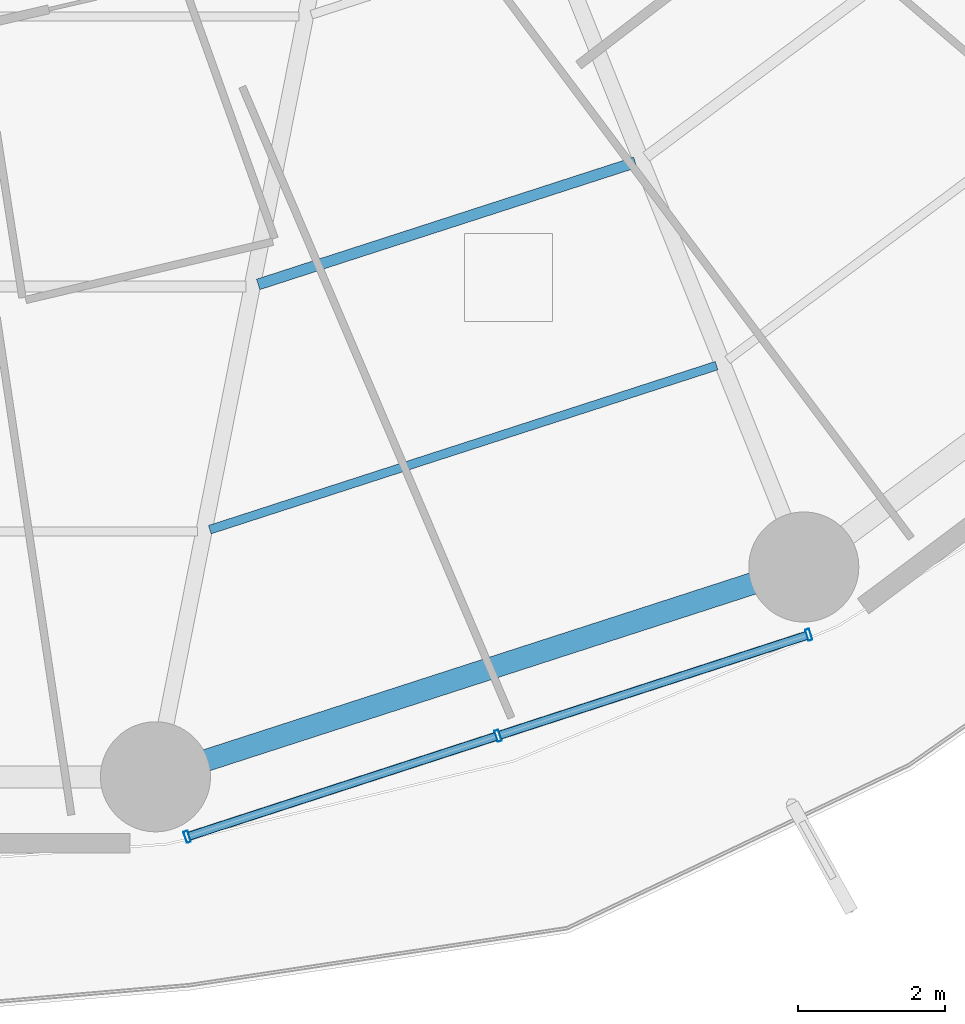
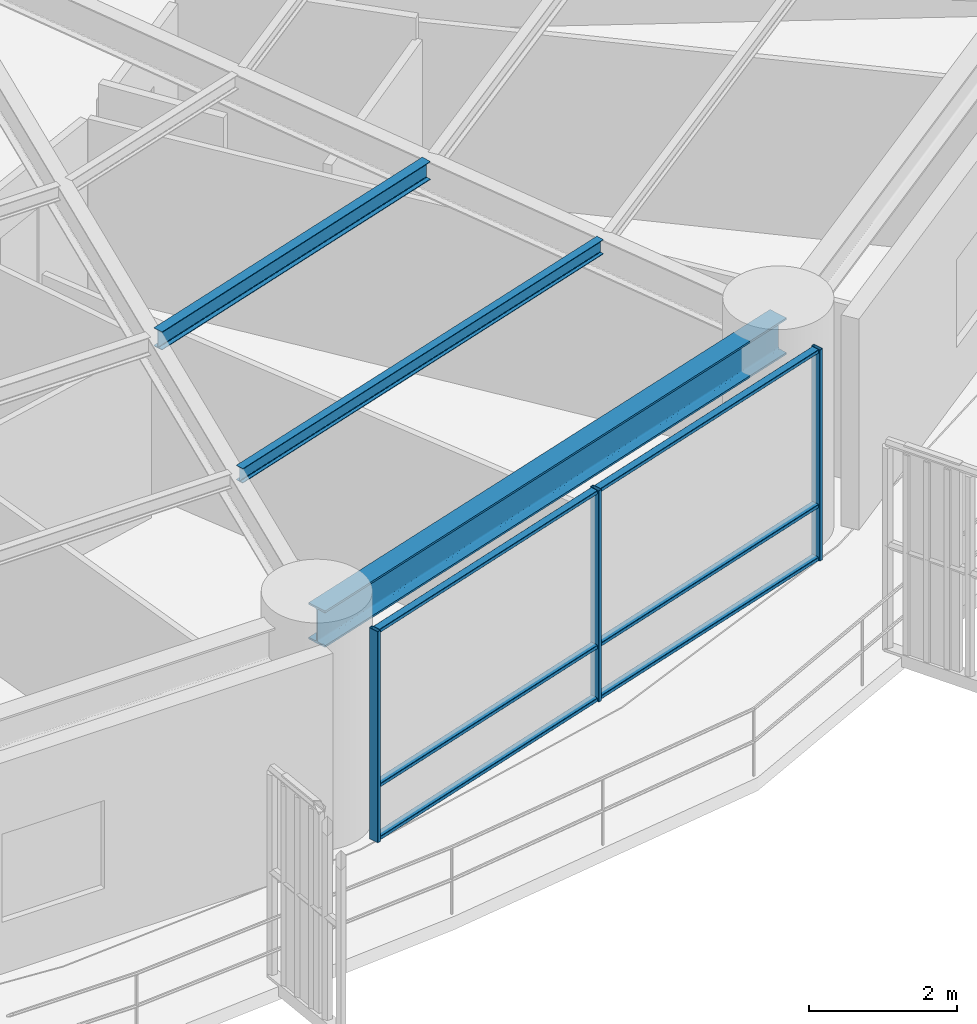
# One storey, part 8 of 31: 9 members, 3 beams, 1 element without a shape of its own.
"""IFC4 building model written with IfcOpenShell, lengths in metres."""

from ifc_helpers import new_model, si_unit, direction, frame, origin, origin_2d, place, context, subcontext, project, spatial, hollow_rectangle, i_section, extrude, material, layer, layer_set, material_profile, profile_set, type_object, element, aggregate, save


model = new_model("IFC4")

# Units and contexts
model_context = context("Model", 3, precision=1e-05, world=origin(), true_north=direction((0.0, 1.0)))
body_context = subcontext(model_context, "Body", "Model", "MODEL_VIEW")
ifc_project = project(units=[si_unit("LENGTHUNIT", "METRE"), si_unit("AREAUNIT", "SQUARE_METRE"), si_unit("VOLUMEUNIT", "CUBIC_METRE"), si_unit("PLANEANGLEUNIT", "RADIAN"), si_unit("MASSUNIT", "GRAM", prefix="KILO")], contexts=[model_context])

# Site, building, storey
site_placement = place(None, origin())
site = spatial("IfcSite", under=ifc_project, at=site_placement, CompositionType="ELEMENT")
building_placement = place(site_placement, origin())
building = spatial("IfcBuilding", under=site, at=building_placement, Name="Kelanora Arch Commons", CompositionType="ELEMENT")
storey_placement = place(building_placement, frame((0.0, 0.0, 63.75)))
storey = spatial("IfcBuildingStorey", under=building, at=storey_placement, Name="L16", CompositionType="ELEMENT", Elevation=63.75)

# Beams
ifc_material_1 = material(Name="Steel S355", Category="steel")
ifc_material_profile_1 = material_profile(ifc_material_1, i_section(OverallWidth=0.14990234375, OverallDepth=0.300048828125, WebThickness=0.007080078125, FlangeThickness=0.0107421875, FilletRadius=0.014892578125, at=origin_2d()), Name="IPE300")
ifc_profile_set_1 = profile_set([ifc_material_profile_1], Name="Steel S355")
beam_type_1 = type_object("IfcBeamType", Name="BM-JST-01", PredefinedType="JOIST", material=ifc_profile_set_1)
beam_1_placement = place(storey_placement, frame((80.102294921875, 40.997802734375, 3.340087890625), z_axis=(0.951412209627, 0.307920131482, 0.0), x_axis=(-0.307920131482, 0.951412209627, 0.0)))
element("IfcBeam", 1, at=beam_1_placement, inside=storey, type_object=beam_type_1, Name="Secondary Chord Joist BJB-28 L16", PredefinedType="JOIST", context=body_context, shape_type="SweptSolid", body=[
    extrude(i_section(OverallWidth=0.14990234375, OverallDepth=0.300048828125, WebThickness=0.007080078125, FlangeThickness=0.0107421875, FilletRadius=0.014892578125, at=origin_2d()), origin(), (0.0, 0.0, 1.0), 5.4033203125),
])
ifc_material_profile_2 = material_profile(ifc_material_1, i_section(OverallWidth=0.1201171875, OverallDepth=0.239990234375, WebThickness=0.006103515625, FlangeThickness=0.009765625, FilletRadius=0.014892578125, at=origin_2d()), Name="IPE240")
ifc_profile_set_2 = profile_set([ifc_material_profile_2], Name="Steel S355")
beam_type_2 = type_object("IfcBeamType", Name="BM-JST-02", PredefinedType="JOIST", material=ifc_profile_set_2)
beam_2_placement = place(storey_placement, frame((79.44287109375, 37.65478515625, 3.3701171875), z_axis=(0.951410915705, 0.307924129418, 0.0), x_axis=(-0.307924129418, 0.951410915705, 0.0)))
element("IfcBeam", 2, at=beam_2_placement, inside=storey, type_object=beam_type_2, Name="Secondary Chord Joist BJC-28 L16", PredefinedType="JOIST", context=body_context, shape_type="SweptSolid", body=[
    extrude(i_section(OverallWidth=0.1201171875, OverallDepth=0.239990234375, WebThickness=0.006103515625, FlangeThickness=0.009765625, FilletRadius=0.014892578125, at=origin_2d()), origin(), (0.0, 0.0, 1.0), 7.260986328125),
])
ifc_material_profile_3 = material_profile(ifc_material_1, i_section(OverallWidth=0.300048828125, OverallDepth=0.60009765625, WebThickness=0.015380859375, FlangeThickness=0.030029296875, FilletRadius=0.027099609375, at=origin_2d()), Name="HEB600")
ifc_profile_set_3 = profile_set([ifc_material_profile_3], Name="Steel S355")
beam_type_3 = type_object("IfcBeamType", Name="BM-SPN-Z1", PredefinedType="SPANDREL", material=ifc_profile_set_3)
beam_3_placement = place(storey_placement, frame((78.702392578125, 34.285888671875, 3.18994140625), z_axis=(0.951417120402, 0.307904957748, 0.0), x_axis=(-0.307904957748, 0.951417120402, 0.0)))
element("IfcBeam", 3, at=beam_3_placement, inside=storey, type_object=beam_type_3, Name="Perimeter Spandrel Beam BS-28 L16", PredefinedType="SPANDREL", context=body_context, shape_type="SweptSolid", body=[
    extrude(i_section(OverallWidth=0.300048828125, OverallDepth=0.60009765625, WebThickness=0.015380859375, FlangeThickness=0.030029296875, FilletRadius=0.027099609375, at=origin_2d()), origin(), (0.0, 0.0, 1.0), 9.288818359375),
])

# Curtain wall, members
ifc_material_2 = material(Name="Terracotta ceramic-fritted low-E glass and aluminium", Category="masonry")
ifc_layer = layer(ifc_material_2, 0.159912109375)
ifc_layer_set = layer_set([ifc_layer], Name="Terracotta ceramic-fritted low-E glass and aluminium")
curtain_wall_type = type_object("IfcCurtainWallType", Name="CW-SYS-01", PredefinedType="NOTDEFINED", material=ifc_layer_set)
curtain_wall_placement = place(storey_placement, origin())
curtain_wall = element("IfcCurtainWall", 4, at=curtain_wall_placement, inside=storey, type_object=curtain_wall_type, Name="Unitised Curtain Wall L16-B14", PredefinedType="NOTDEFINED")
ifc_material_3 = material(Name="Powder-coated aluminium terracotta", Category="masonry")
ifc_material_profile_4 = material_profile(ifc_material_3, hollow_rectangle(XDim=0.159912109375, YDim=0.06005859375, WallThickness=0.0048828125, InnerFilletRadius=0.0048828125, OuterFilletRadius=0.010009765625, at=origin_2d()), Name="CWM160x60")
ifc_profile_set_4 = profile_set([ifc_material_profile_4], Name="Powder-coated aluminium terracotta")
member_type_1 = type_object("IfcMemberType", Name="CWM-STD", PredefinedType="MULLION", material=ifc_profile_set_4)
member_1_placement = place(storey_placement, frame((79.134521484375, 33.46826171875, 0.0), z_axis=(0.0, 0.0, 1.0), x_axis=(-0.30905758454, 0.951043326793, 0.0)))
member_1 = element("IfcMember", 5, at=member_1_placement, type_object=member_type_1, Name="CW-01 mullion 1", PredefinedType="MULLION", context=body_context, shape_type="SweptSolid", body=[
    extrude(hollow_rectangle(XDim=0.159912109375, YDim=0.06005859375, WallThickness=0.0048828125, InnerFilletRadius=0.0048828125, OuterFilletRadius=0.010009765625, at=origin_2d()), origin(), (0.0, 0.0, 1.0), 3.47509765625),
])
member_2_placement = place(storey_placement, frame((83.37109375, 34.84521484375, 0.0), z_axis=(0.0, 0.0, 1.0), x_axis=(-0.30905758454, 0.951043326793, 0.0)))
member_2 = element("IfcMember", 6, at=member_2_placement, type_object=member_type_1, Name="CW-01 mullion 2", PredefinedType="MULLION", context=body_context, shape_type="SweptSolid", body=[
    extrude(hollow_rectangle(XDim=0.159912109375, YDim=0.06005859375, WallThickness=0.0048828125, InnerFilletRadius=0.0048828125, OuterFilletRadius=0.010009765625, at=origin_2d()), origin(), (0.0, 0.0, 1.0), 3.47509765625),
])
member_3_placement = place(storey_placement, frame((87.607666015625, 36.221923828125, 0.0), z_axis=(0.0, 0.0, 1.0), x_axis=(-0.30905758454, 0.951043326793, 0.0)))
member_3 = element("IfcMember", 7, at=member_3_placement, type_object=member_type_1, Name="CW-01 mullion 3", PredefinedType="MULLION", context=body_context, shape_type="SweptSolid", body=[
    extrude(hollow_rectangle(XDim=0.159912109375, YDim=0.06005859375, WallThickness=0.0048828125, InnerFilletRadius=0.0048828125, OuterFilletRadius=0.010009765625, at=origin_2d()), origin(), (0.0, 0.0, 1.0), 3.47509765625),
])
ifc_material_profile_5 = material_profile(ifc_material_3, hollow_rectangle(XDim=0.1201171875, YDim=0.06005859375, WallThickness=0.0048828125, InnerFilletRadius=0.0048828125, OuterFilletRadius=0.010009765625, at=origin_2d()), Name="CWT120x60")
ifc_profile_set_5 = profile_set([ifc_material_profile_5], Name="Powder-coated aluminium terracotta")
member_type_2 = type_object("IfcMemberType", Name="CWT-STD", PredefinedType="USERDEFINED", material=ifc_profile_set_5)
member_4_placement = place(storey_placement, frame((79.1630859375, 33.4775390625, 0.030029296875), z_axis=(0.951028761285, 0.309102402464, 0.0), x_axis=(-0.309102402464, 0.951028761285, 0.0)))
member_4 = element("IfcMember", 8, at=member_4_placement, type_object=member_type_2, Name="CW-01 transom 1.1", ObjectType="TRANSOM", PredefinedType="USERDEFINED", context=body_context, shape_type="SweptSolid", body=[
    extrude(hollow_rectangle(XDim=0.1201171875, YDim=0.06005859375, WallThickness=0.0048828125, InnerFilletRadius=0.0048828125, OuterFilletRadius=0.010009765625, at=origin_2d()), origin(), (0.0, 0.0, 1.0), 4.394775390625),
])
member_5_placement = place(storey_placement, frame((79.1630859375, 33.4775390625, 0.89990234375), z_axis=(0.951028761285, 0.309102402464, 0.0), x_axis=(-0.309102402464, 0.951028761285, 0.0)))
member_5 = element("IfcMember", 9, at=member_5_placement, type_object=member_type_2, Name="CW-01 transom 1.2", ObjectType="TRANSOM", PredefinedType="USERDEFINED", context=body_context, shape_type="SweptSolid", body=[
    extrude(hollow_rectangle(XDim=0.1201171875, YDim=0.06005859375, WallThickness=0.0048828125, InnerFilletRadius=0.0048828125, OuterFilletRadius=0.010009765625, at=origin_2d()), origin(), (0.0, 0.0, 1.0), 4.394775390625),
])
member_6_placement = place(storey_placement, frame((79.1630859375, 33.4775390625, 3.445068359375), z_axis=(0.951028761285, 0.309102402464, 0.0), x_axis=(-0.309102402464, 0.951028761285, 0.0)))
member_6 = element("IfcMember", 10, at=member_6_placement, type_object=member_type_2, Name="CW-01 transom 1.3", ObjectType="TRANSOM", PredefinedType="USERDEFINED", context=body_context, shape_type="SweptSolid", body=[
    extrude(hollow_rectangle(XDim=0.1201171875, YDim=0.06005859375, WallThickness=0.0048828125, InnerFilletRadius=0.0048828125, OuterFilletRadius=0.010009765625, at=origin_2d()), origin(), (0.0, 0.0, 1.0), 4.394775390625),
])
member_7_placement = place(storey_placement, frame((83.399658203125, 34.8544921875, 0.030029296875), z_axis=(0.951045091182, 0.309052155047, 0.0), x_axis=(-0.309052155047, 0.951045091182, 0.0)))
member_7 = element("IfcMember", 11, at=member_7_placement, type_object=member_type_2, Name="CW-01 transom 2.1", ObjectType="TRANSOM", PredefinedType="USERDEFINED", context=body_context, shape_type="SweptSolid", body=[
    extrude(hollow_rectangle(XDim=0.1201171875, YDim=0.06005859375, WallThickness=0.0048828125, InnerFilletRadius=0.0048828125, OuterFilletRadius=0.010009765625, at=origin_2d()), origin(), (0.0, 0.0, 1.0), 4.39453125),
])
member_8_placement = place(storey_placement, frame((83.399658203125, 34.8544921875, 0.89990234375), z_axis=(0.951045091182, 0.309052155047, 0.0), x_axis=(-0.309052155047, 0.951045091182, 0.0)))
member_8 = element("IfcMember", 12, at=member_8_placement, type_object=member_type_2, Name="CW-01 transom 2.2", ObjectType="TRANSOM", PredefinedType="USERDEFINED", context=body_context, shape_type="SweptSolid", body=[
    extrude(hollow_rectangle(XDim=0.1201171875, YDim=0.06005859375, WallThickness=0.0048828125, InnerFilletRadius=0.0048828125, OuterFilletRadius=0.010009765625, at=origin_2d()), origin(), (0.0, 0.0, 1.0), 4.39453125),
])
member_9_placement = place(storey_placement, frame((83.399658203125, 34.8544921875, 3.445068359375), z_axis=(0.951045091182, 0.309052155047, 0.0), x_axis=(-0.309052155047, 0.951045091182, 0.0)))
member_9 = element("IfcMember", 13, at=member_9_placement, type_object=member_type_2, Name="CW-01 transom 2.3", ObjectType="TRANSOM", PredefinedType="USERDEFINED", context=body_context, shape_type="SweptSolid", body=[
    extrude(hollow_rectangle(XDim=0.1201171875, YDim=0.06005859375, WallThickness=0.0048828125, InnerFilletRadius=0.0048828125, OuterFilletRadius=0.010009765625, at=origin_2d()), origin(), (0.0, 0.0, 1.0), 4.39453125),
])
aggregate(curtain_wall, [member_1, member_2, member_3, member_4, member_5, member_6, member_7, member_8, member_9])

save(model, "model.ifc")
